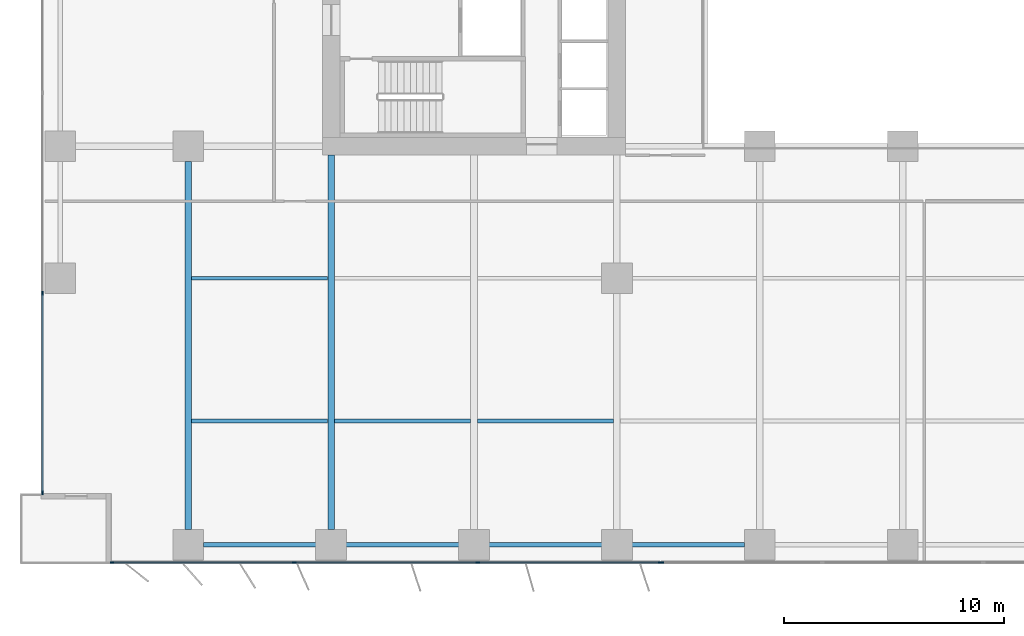
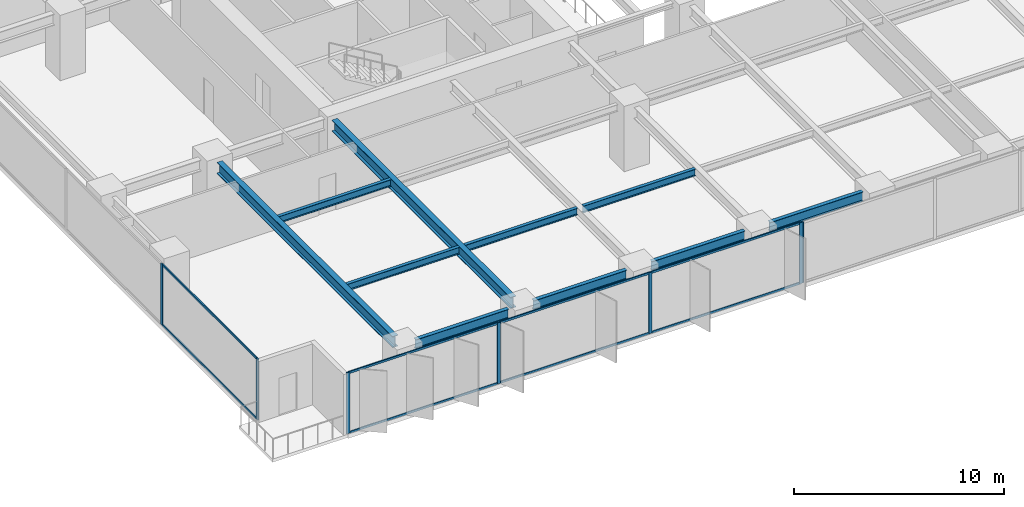
# One storey, part 2 of 20: 15 members, 10 beams, 3 elements without a shape of their own.
"""IFC4 building model written with IfcOpenShell, lengths in metres."""

from ifc_helpers import new_model, si_unit, direction, frame, origin, origin_2d, place, context, subcontext, project, spatial, rectangle, i_section, extrude, material, layer, layer_set, material_profile, profile_set, type_object, element, aggregate, save


model = new_model("IFC4")

# Units and contexts
model_context = context("Model", 3, precision=1e-05, world=origin(), true_north=direction((0.0, 1.0)))
body_context = subcontext(model_context, "Body", "Model", "MODEL_VIEW")
ifc_project = project(units=[si_unit("LENGTHUNIT", "METRE"), si_unit("AREAUNIT", "SQUARE_METRE"), si_unit("VOLUMEUNIT", "CUBIC_METRE"), si_unit("PLANEANGLEUNIT", "RADIAN"), si_unit("MASSUNIT", "GRAM", prefix="KILO")], contexts=[model_context])

# Site, building, storey
site_placement = place(None, origin())
site = spatial("IfcSite", under=ifc_project, at=site_placement, CompositionType="ELEMENT")
building_placement = place(site_placement, origin())
building = spatial("IfcBuilding", under=site, at=building_placement, Name="Putna Gate Headquarters", CompositionType="ELEMENT")
storey_placement = place(building_placement, frame((0.0, 0.0, 35.39990234375)))
storey = spatial("IfcBuildingStorey", under=building, at=storey_placement, Name="L07", CompositionType="ELEMENT", Elevation=35.39990234375)

# Beams
ifc_material_1 = material(Name="Steel S355J2", Category="steel")
ifc_material_profile_1 = material_profile(ifc_material_1, i_section(OverallWidth=0.300048828125, OverallDepth=0.64990234375, WebThickness=0.01611328125, FlangeThickness=0.031005859375, at=origin_2d()), Name="Steel S355J2")
ifc_profile_set_1 = profile_set([ifc_material_profile_1], Name="Steel S355J2")
beam_type_1 = type_object("IfcBeamType", Name="BM-GIRD-Z1-HEB650", PredefinedType="USERDEFINED", material=ifc_profile_set_1)
beam_1_placement = place(storey_placement, frame((6.5, 1.568115234375, 3.22509765625), z_axis=(0.0, 1.0, 0.0), x_axis=(-1.0, 0.0, 0.0)))
element("IfcBeam", 1, at=beam_1_placement, inside=storey, type_object=beam_type_1, Name="L07 South Primary Girder X6", ObjectType="GIRDER", PredefinedType="USERDEFINED", context=body_context, shape_type="SweptSolid", body=[
    extrude(i_section(OverallWidth=0.300048828125, OverallDepth=0.64990234375, WebThickness=0.01611328125, FlangeThickness=0.031005859375, at=origin_2d()), origin(), (0.0, 0.0, 1.0), 16.743896484375),
])
beam_2_placement = place(storey_placement, frame((13.0, 1.568115234375, 3.22509765625), z_axis=(0.0, 1.0, 0.0), x_axis=(-1.0, 0.0, 0.0)))
element("IfcBeam", 2, at=beam_2_placement, inside=storey, type_object=beam_type_1, Name="L07 South Primary Girder X13", ObjectType="GIRDER", PredefinedType="USERDEFINED", context=body_context, shape_type="SweptSolid", body=[
    extrude(i_section(OverallWidth=0.300048828125, OverallDepth=0.64990234375, WebThickness=0.01611328125, FlangeThickness=0.031005859375, at=origin_2d()), origin(), (0.0, 0.0, 1.0), 17.046875),
])
ifc_material_profile_2 = material_profile(ifc_material_1, i_section(OverallWidth=0.179931640625, OverallDepth=0.39990234375, WebThickness=0.008544921875, FlangeThickness=0.013427734375, at=origin_2d()), Name="Steel S355J2")
ifc_profile_set_2 = profile_set([ifc_material_profile_2], Name="Steel S355J2")
beam_type_2 = type_object("IfcBeamType", Name="BM-SEC-Z1-IPE400", PredefinedType="BEAM", material=ifc_profile_set_2)
for number, where, z_axis, x_axis, name in (
    (3, (6.654052734375, 6.5, 3.35009765625), (1.0, 0.0, 0.0), (0.0, 1.0, 0.0), "L07 South Secondary Beam 1"),
    (4, (6.654052734375, 13.0, 3.35009765625), (1.0, 0.0, 0.0), (0.0, 1.0, 0.0), "L07 South Secondary Beam 1"),
    (5, (13.154052734375, 6.5, 3.35009765625), (1.0, 0.0, 0.0), (0.0, 1.0, 0.0), "L07 South Secondary Beam 2"),
    (6, (19.654052734375, 6.5, 3.35009765625), (1.0, 0.0, 0.0), (0.0, 1.0, 0.0), "L07 South Secondary Beam 3"),
):
    element("IfcBeam", number, at=place(storey_placement, frame(where, z_axis=z_axis, x_axis=x_axis)), inside=storey, type_object=beam_type_2, Name=name, PredefinedType="BEAM", context=body_context, shape_type="SweptSolid", body=[
        extrude(i_section(OverallWidth=0.179931640625, OverallDepth=0.39990234375, WebThickness=0.008544921875, FlangeThickness=0.013427734375, at=origin_2d()), origin(), (0.0, 0.0, 1.0), 6.19189453125),
    ])
ifc_material_profile_3 = material_profile(ifc_material_1, i_section(OverallWidth=0.2099609375, OverallDepth=0.550048828125, WebThickness=0.010986328125, FlangeThickness=0.01708984375, at=origin_2d()), Name="Steel S355J2")
ifc_profile_set_3 = profile_set([ifc_material_profile_3], Name="Steel S355J2")
beam_type_3 = type_object("IfcBeamType", Name="BM-SPAN-Z1-IPE550", PredefinedType="SPANDREL", material=ifc_profile_set_3)
for number, where, z_axis, x_axis, name in (
    (7, (7.18798828125, 0.8798828125, 3.275146484375), (1.0, 0.0, 0.0), (0.0, 1.0, 0.0), "L07 S Perimeter Spandrel 1"),
    (8, (13.68798828125, 0.8798828125, 3.275146484375), (1.0, 0.0, 0.0), (0.0, 1.0, 0.0), "L07 S Perimeter Spandrel 2"),
    (9, (20.18798828125, 0.8798828125, 3.275146484375), (1.0, 0.0, 0.0), (0.0, 1.0, 0.0), "L07 S Perimeter Spandrel 3"),
    (10, (26.68798828125, 0.8798828125, 3.275146484375), (1.0, 0.0, 0.0), (0.0, 1.0, 0.0), "L07 S Perimeter Spandrel 4"),
):
    element("IfcBeam", number, at=place(storey_placement, frame(where, z_axis=z_axis, x_axis=x_axis)), inside=storey, type_object=beam_type_3, Name=name, PredefinedType="SPANDREL", context=body_context, shape_type="SweptSolid", body=[
        extrude(i_section(OverallWidth=0.2099609375, OverallDepth=0.550048828125, WebThickness=0.010986328125, FlangeThickness=0.01708984375, at=origin_2d()), origin(), (0.0, 0.0, 1.0), 5.1240234375),
    ])

# Curtain wall, members
ifc_material_2 = material(Name="Anodised bronze aluminium curtain wall", Category="aluminium")
ifc_layer_1 = layer(ifc_material_2, 0.179931640625)
ifc_layer_set_1 = layer_set([ifc_layer_1], Name="Anodised bronze aluminium curtain wall")
curtain_wall_type_1 = type_object("IfcCurtainWallType", Name="CW-SYS-Z1", PredefinedType="USERDEFINED", material=ifc_layer_set_1)
curtain_wall_1_placement = place(storey_placement, origin())
curtain_wall_1 = element("IfcCurtainWall", 11, at=curtain_wall_1_placement, inside=storey, type_object=curtain_wall_type_1, Name="L07 South West Curtain Wall", ObjectType="STICK CURTAIN WALL", PredefinedType="USERDEFINED")
ifc_material_3 = material(Name="Anodised bronze aluminium EN AW-6060", Category="aluminium")
ifc_material_profile_4 = material_profile(ifc_material_3, rectangle(XDim=0.070068359375, YDim=0.179931640625, at=origin_2d()), Name="Anodised bronze aluminium EN AW-6060")
ifc_profile_set_4 = profile_set([ifc_material_profile_4], Name="Anodised bronze aluminium EN AW-6060")
member_type_1 = type_object("IfcMemberType", Name="MULL-CWM-1", PredefinedType="MULLION", material=ifc_profile_set_4)
member_1_placement = place(storey_placement, frame((3.034912109375, 0.080078125, 0.0), z_axis=(0.0, 0.0, 1.0), x_axis=(0.0, 1.0, 0.0)))
member_1 = element("IfcMember", 12, at=member_1_placement, type_object=member_type_1, Name="CWS-1 mullion 1", PredefinedType="MULLION", context=body_context, shape_type="SweptSolid", body=[
    extrude(rectangle(XDim=0.070068359375, YDim=0.179931640625, at=origin_2d()), origin(), (0.0, 0.0, 1.0), 3.550048828125),
])
member_2_placement = place(storey_placement, frame((11.333251953125, 0.080078125, 0.0), z_axis=(0.0, 0.0, 1.0), x_axis=(0.0, 1.0, 0.0)))
member_2 = element("IfcMember", 13, at=member_2_placement, type_object=member_type_1, Name="CWS-1 mullion 2", PredefinedType="MULLION", context=body_context, shape_type="SweptSolid", body=[
    extrude(rectangle(XDim=0.070068359375, YDim=0.179931640625, at=origin_2d()), origin(), (0.0, 0.0, 1.0), 3.550048828125),
])
member_3_placement = place(storey_placement, frame((19.666748046875, 0.080078125, 0.0), z_axis=(0.0, 0.0, 1.0), x_axis=(0.0, 1.0, 0.0)))
member_3 = element("IfcMember", 14, at=member_3_placement, type_object=member_type_1, Name="CWS-1 mullion 3", PredefinedType="MULLION", context=body_context, shape_type="SweptSolid", body=[
    extrude(rectangle(XDim=0.070068359375, YDim=0.179931640625, at=origin_2d()), origin(), (0.0, 0.0, 1.0), 3.550048828125),
])
member_4_placement = place(storey_placement, frame((27.965087890625, 0.080078125, 0.0), z_axis=(0.0, 0.0, 1.0), x_axis=(0.0, 1.0, 0.0)))
member_4 = element("IfcMember", 15, at=member_4_placement, type_object=member_type_1, Name="CWS-1 mullion 4", PredefinedType="MULLION", context=body_context, shape_type="SweptSolid", body=[
    extrude(rectangle(XDim=0.070068359375, YDim=0.179931640625, at=origin_2d()), origin(), (0.0, 0.0, 1.0), 3.550048828125),
])

curtain_wall_2_placement = place(storey_placement, origin())
curtain_wall_2 = element("IfcCurtainWall", 16, at=curtain_wall_2_placement, inside=storey, type_object=curtain_wall_type_1, Name="L07 West Curtain Wall", ObjectType="STICK CURTAIN WALL", PredefinedType="USERDEFINED")
member_5_placement = place(storey_placement, frame((-0.1201171875, 3.235107421875, 0.0), z_axis=(0.0, 0.0, 1.0), x_axis=(-1.0, 0.0, 0.0)))
member_5 = element("IfcMember", 17, at=member_5_placement, type_object=member_type_1, Name="CWS-1 mullion 1", PredefinedType="MULLION", context=body_context, shape_type="SweptSolid", body=[
    extrude(rectangle(XDim=0.070068359375, YDim=0.179931640625, at=origin_2d()), origin(), (0.0, 0.0, 1.0), 3.550048828125),
])
member_6_placement = place(storey_placement, frame((-0.1201171875, 12.320068359375, 0.0), z_axis=(0.0, 0.0, 1.0), x_axis=(-1.0, 0.0, 0.0)))
member_6 = element("IfcMember", 18, at=member_6_placement, type_object=member_type_1, Name="CWS-1 mullion 2", PredefinedType="MULLION", context=body_context, shape_type="SweptSolid", body=[
    extrude(rectangle(XDim=0.070068359375, YDim=0.179931640625, at=origin_2d()), origin(), (0.0, 0.0, 1.0), 3.550048828125),
])

# Curtain wall, member
ifc_layer_2 = layer(ifc_material_2, 0.179931640625)
ifc_layer_set_2 = layer_set([ifc_layer_2], Name="Anodised bronze aluminium curtain wall")
curtain_wall_type_2 = type_object("IfcCurtainWallType", Name="CW-SYS-ATR", PredefinedType="USERDEFINED", material=ifc_layer_set_2)
curtain_wall_3_placement = place(storey_placement, origin())
curtain_wall_3 = element("IfcCurtainWall", 19, at=curtain_wall_3_placement, inside=storey, type_object=curtain_wall_type_2, Name="L07 South Atrium Clear Glazing", ObjectType="ATRIUM GLAZING", PredefinedType="USERDEFINED")
ifc_material_profile_5 = material_profile(ifc_material_3, rectangle(XDim=0.070068359375, YDim=0.179931640625, at=origin_2d()), Name="Anodised bronze aluminium EN AW-6060")
ifc_profile_set_5 = profile_set([ifc_material_profile_5], Name="Anodised bronze aluminium EN AW-6060")
member_type_2 = type_object("IfcMemberType", Name="MULL-CWM-AT", PredefinedType="MULLION", material=ifc_profile_set_5)
member_7_placement = place(storey_placement, frame((28.034912109375, 0.080078125, 0.0), z_axis=(0.0, 0.0, 1.0), x_axis=(0.0, 1.0, 0.0)))
member_7 = element("IfcMember", 20, at=member_7_placement, type_object=member_type_2, Name="CWS-AT mullion 1", PredefinedType="MULLION", context=body_context, shape_type="SweptSolid", body=[
    extrude(rectangle(XDim=0.070068359375, YDim=0.179931640625, at=origin_2d()), origin(), (0.0, 0.0, 1.0), 3.550048828125),
])
aggregate(curtain_wall_3, [member_7])

# Member
ifc_material_profile_6 = material_profile(ifc_material_3, rectangle(XDim=0.06494140625, YDim=0.1201171875, at=origin_2d()), Name="Anodised bronze aluminium EN AW-6060")
ifc_profile_set_6 = profile_set([ifc_material_profile_6], Name="Anodised bronze aluminium EN AW-6060")
member_type_3 = type_object("IfcMemberType", Name="TRAN-CWT-1", PredefinedType="USERDEFINED", material=ifc_profile_set_6)
member_8_placement = place(storey_placement, frame((3.070068359375, 0.080078125, 0.03271484375), z_axis=(1.0, 0.0, 0.0), x_axis=(0.0, 1.0, 0.0)))
member_8 = element("IfcMember", 21, at=member_8_placement, type_object=member_type_3, Name="CWS-1 transom 1.1", ObjectType="TRANSOM", PredefinedType="USERDEFINED", context=body_context, shape_type="SweptSolid", body=[
    extrude(rectangle(XDim=0.06494140625, YDim=0.1201171875, at=origin_2d()), origin(), (0.0, 0.0, 1.0), 8.228271484375),
])

member_9_placement = place(storey_placement, frame((3.070068359375, 0.080078125, 3.517578125), z_axis=(1.0, 0.0, 0.0), x_axis=(0.0, 1.0, 0.0)))
member_9 = element("IfcMember", 22, at=member_9_placement, type_object=member_type_3, Name="CWS-1 transom 1.2", ObjectType="TRANSOM", PredefinedType="USERDEFINED", context=body_context, shape_type="SweptSolid", body=[
    extrude(rectangle(XDim=0.06494140625, YDim=0.1201171875, at=origin_2d()), origin(), (0.0, 0.0, 1.0), 8.228271484375),
])

member_10_placement = place(storey_placement, frame((11.368408203125, 0.080078125, 0.03271484375), z_axis=(1.0, 0.0, 0.0), x_axis=(0.0, 1.0, 0.0)))
member_10 = element("IfcMember", 23, at=member_10_placement, type_object=member_type_3, Name="CWS-1 transom 2.1", ObjectType="TRANSOM", PredefinedType="USERDEFINED", context=body_context, shape_type="SweptSolid", body=[
    extrude(rectangle(XDim=0.06494140625, YDim=0.1201171875, at=origin_2d()), origin(), (0.0, 0.0, 1.0), 8.26318359375),
])

member_11_placement = place(storey_placement, frame((11.368408203125, 0.080078125, 3.517578125), z_axis=(1.0, 0.0, 0.0), x_axis=(0.0, 1.0, 0.0)))
member_11 = element("IfcMember", 24, at=member_11_placement, type_object=member_type_3, Name="CWS-1 transom 2.2", ObjectType="TRANSOM", PredefinedType="USERDEFINED", context=body_context, shape_type="SweptSolid", body=[
    extrude(rectangle(XDim=0.06494140625, YDim=0.1201171875, at=origin_2d()), origin(), (0.0, 0.0, 1.0), 8.26318359375),
])

member_12_placement = place(storey_placement, frame((19.70166015625, 0.080078125, 0.03271484375), z_axis=(1.0, 0.0, 0.0), x_axis=(0.0, 1.0, 0.0)))
member_12 = element("IfcMember", 25, at=member_12_placement, type_object=member_type_3, Name="CWS-1 transom 3.1", ObjectType="TRANSOM", PredefinedType="USERDEFINED", context=body_context, shape_type="SweptSolid", body=[
    extrude(rectangle(XDim=0.06494140625, YDim=0.1201171875, at=origin_2d()), origin(), (0.0, 0.0, 1.0), 8.228271484375),
])

member_13_placement = place(storey_placement, frame((19.70166015625, 0.080078125, 3.517578125), z_axis=(1.0, 0.0, 0.0), x_axis=(0.0, 1.0, 0.0)))
member_13 = element("IfcMember", 26, at=member_13_placement, type_object=member_type_3, Name="CWS-1 transom 3.2", ObjectType="TRANSOM", PredefinedType="USERDEFINED", context=body_context, shape_type="SweptSolid", body=[
    extrude(rectangle(XDim=0.06494140625, YDim=0.1201171875, at=origin_2d()), origin(), (0.0, 0.0, 1.0), 8.228271484375),
])

aggregate(curtain_wall_1, [member_1, member_2, member_3, member_4, member_8, member_9, member_10, member_11, member_12, member_13])

member_14_placement = place(storey_placement, frame((-0.1201171875, 3.27001953125, 0.03271484375), z_axis=(0.0, 1.0, 0.0), x_axis=(-1.0, 0.0, 0.0)))
member_14 = element("IfcMember", 27, at=member_14_placement, type_object=member_type_3, Name="CWS-1 transom 1.1", ObjectType="TRANSOM", PredefinedType="USERDEFINED", context=body_context, shape_type="SweptSolid", body=[
    extrude(rectangle(XDim=0.06494140625, YDim=0.1201171875, at=origin_2d()), origin(), (0.0, 0.0, 1.0), 9.014892578125),
])

member_15_placement = place(storey_placement, frame((-0.1201171875, 3.27001953125, 3.517578125), z_axis=(0.0, 1.0, 0.0), x_axis=(-1.0, 0.0, 0.0)))
member_15 = element("IfcMember", 28, at=member_15_placement, type_object=member_type_3, Name="CWS-1 transom 1.2", ObjectType="TRANSOM", PredefinedType="USERDEFINED", context=body_context, shape_type="SweptSolid", body=[
    extrude(rectangle(XDim=0.06494140625, YDim=0.1201171875, at=origin_2d()), origin(), (0.0, 0.0, 1.0), 9.014892578125),
])

aggregate(curtain_wall_2, [member_5, member_6, member_14, member_15])

save(model, "model.ifc")
